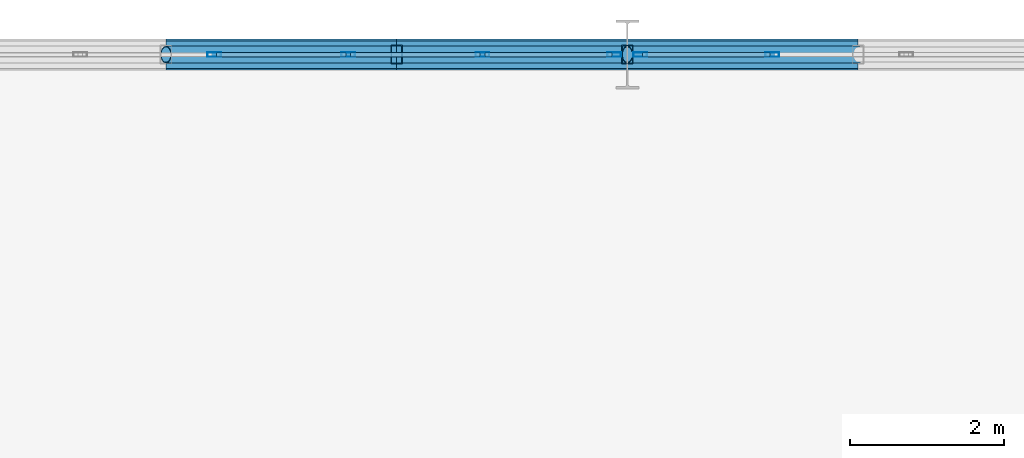
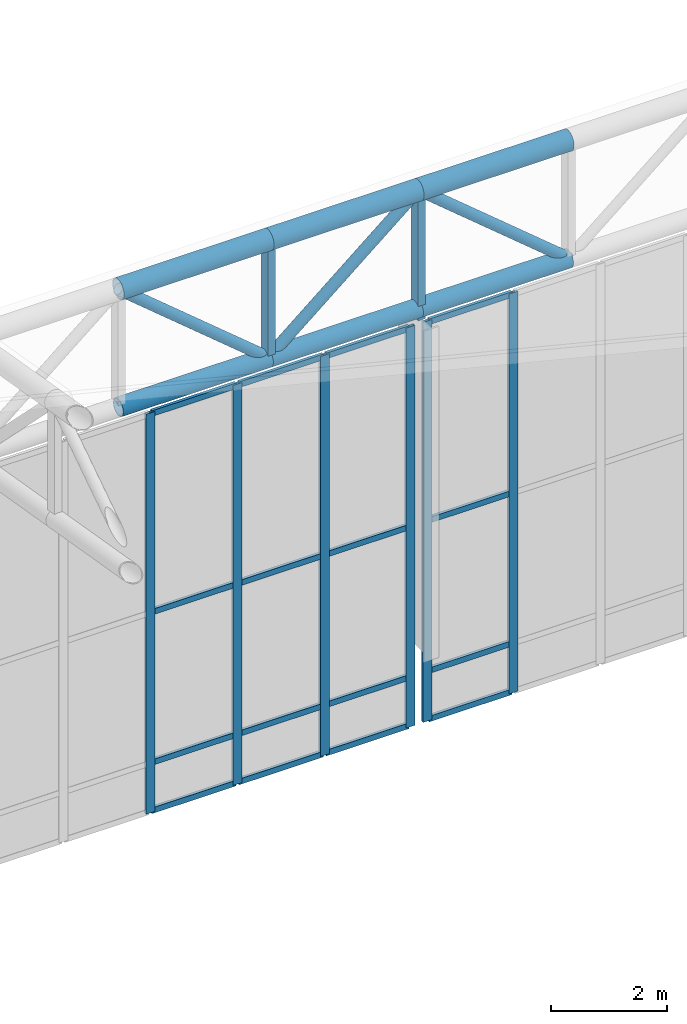
# One storey, part 136 of 239: 33 members, 2 elements without a shape of their own.
"""IFC4 building model written with IfcOpenShell, lengths in metres."""

from ifc_helpers import new_model, si_unit, direction, frame, origin, origin_2d, place, context, subcontext, project, spatial, hollow_rectangle, hollow_circle, extrude, material, material_profile, profile_set, type_object, element, aggregate, save


model = new_model("IFC4")

# Units and contexts
model_context = context("Model", 3, precision=1e-05, world=origin(), true_north=direction((0.0, 1.0)))
body_context = subcontext(model_context, "Body", "Model", "MODEL_VIEW")
ifc_project = project(units=[si_unit("LENGTHUNIT", "METRE"), si_unit("AREAUNIT", "SQUARE_METRE"), si_unit("VOLUMEUNIT", "CUBIC_METRE"), si_unit("PLANEANGLEUNIT", "RADIAN"), si_unit("MASSUNIT", "GRAM", prefix="KILO")], contexts=[model_context])

# Site, building, storey
site_placement = place(None, origin())
site = spatial("IfcSite", under=ifc_project, at=site_placement, CompositionType="ELEMENT")
building_placement = place(site_placement, origin())
building = spatial("IfcBuilding", under=site, at=building_placement, Name="Kaldris Quays Convention Centre", CompositionType="ELEMENT")
storey_placement = place(building_placement, frame((0.0, 0.0, 11.39990234375)))
storey = spatial("IfcBuildingStorey", under=building, at=storey_placement, Name="L02", CompositionType="ELEMENT", Elevation=11.39990234375)

# Curtain wall, members
ifc_material_1 = material(Name="Anodized aluminium AW-6060 and triple glazing", Category="aluminium")
curtain_wall_type = type_object("IfcCurtainWallType", Name="UNITISED CURTAIN WALL CW03", PredefinedType="NOTDEFINED", material=ifc_material_1)
curtain_wall_1_placement = place(storey_placement, origin())
curtain_wall_1 = element("IfcCurtainWall", 1, at=curtain_wall_1_placement, inside=storey, type_object=curtain_wall_type, Name="L02 Unitised Curtain Wall CW03 252", PredefinedType="NOTDEFINED")
ifc_material_2 = material(Name="Anodized aluminium AW-6060", Category="aluminium")
ifc_material_profile_1 = material_profile(ifc_material_2, hollow_rectangle(XDim=0.06005859375, YDim=0.179931640625, WallThickness=0.0048828125, at=origin_2d()), Name="RHS 180x60x5")
ifc_profile_set_1 = profile_set([ifc_material_profile_1], Name="Anodized aluminium AW-6060")
member_type_1 = type_object("IfcMemberType", Name="CURTAIN MULLION CWM2", PredefinedType="MULLION", material=ifc_profile_set_1)
member_1_placement = place(storey_placement, frame((131.6279296875, 140.0, -1.60498046875), z_axis=(0.0, 0.0, 1.0), x_axis=(0.0, 1.0, 0.0)))
member_1 = element("IfcMember", 2, at=member_1_placement, type_object=member_type_1, Name="CW03 mullion 3", PredefinedType="MULLION", context=body_context, shape_type="SweptSolid", body=[
    extrude(hollow_rectangle(XDim=0.06005859375, YDim=0.179931640625, WallThickness=0.0048828125, at=origin_2d()), origin(), (0.0, 0.0, 1.0), 8.455078125),
])
member_2_placement = place(storey_placement, frame((133.3720703125, 140.0, -1.60498046875), z_axis=(0.0, 0.0, 1.0), x_axis=(0.0, 1.0, 0.0)))
member_2 = element("IfcMember", 3, at=member_2_placement, type_object=member_type_1, Name="CW03 mullion 4", PredefinedType="MULLION", context=body_context, shape_type="SweptSolid", body=[
    extrude(hollow_rectangle(XDim=0.06005859375, YDim=0.179931640625, WallThickness=0.0048828125, at=origin_2d()), origin(), (0.0, 0.0, 1.0), 8.455078125),
])
member_3_placement = place(storey_placement, frame((135.115966796875, 140.0, -1.60498046875), z_axis=(0.0, 0.0, 1.0), x_axis=(0.0, 1.0, 0.0)))
member_3 = element("IfcMember", 4, at=member_3_placement, type_object=member_type_1, Name="CW03 mullion 5", PredefinedType="MULLION", context=body_context, shape_type="SweptSolid", body=[
    extrude(hollow_rectangle(XDim=0.06005859375, YDim=0.179931640625, WallThickness=0.0048828125, at=origin_2d()), origin(), (0.0, 0.0, 1.0), 8.455078125),
])
member_4_placement = place(storey_placement, frame((136.830078125, 140.0, -1.60498046875), z_axis=(0.0, 0.0, 1.0), x_axis=(0.0, 1.0, 0.0)))
member_4 = element("IfcMember", 5, at=member_4_placement, type_object=member_type_1, Name="CW03 mullion 6", PredefinedType="MULLION", context=body_context, shape_type="SweptSolid", body=[
    extrude(hollow_rectangle(XDim=0.06005859375, YDim=0.179931640625, WallThickness=0.0048828125, at=origin_2d()), origin(), (0.0, 0.0, 1.0), 8.455078125),
])

curtain_wall_2_placement = place(storey_placement, origin())
curtain_wall_2 = element("IfcCurtainWall", 6, at=curtain_wall_2_placement, inside=storey, type_object=curtain_wall_type, Name="L02 Unitised Curtain Wall CW03 254", PredefinedType="NOTDEFINED")
member_5_placement = place(storey_placement, frame((137.169921875, 140.0, -1.60498046875), z_axis=(0.0, 0.0, 1.0), x_axis=(0.0, 1.0, 0.0)))
member_5 = element("IfcMember", 7, at=member_5_placement, type_object=member_type_1, Name="CW03 mullion 1", PredefinedType="MULLION", context=body_context, shape_type="SweptSolid", body=[
    extrude(hollow_rectangle(XDim=0.06005859375, YDim=0.179931640625, WallThickness=0.0048828125, at=origin_2d()), origin(), (0.0, 0.0, 1.0), 8.455078125),
])
member_6_placement = place(storey_placement, frame((138.884033203125, 140.0, -1.60498046875), z_axis=(0.0, 0.0, 1.0), x_axis=(0.0, 1.0, 0.0)))
member_6 = element("IfcMember", 8, at=member_6_placement, type_object=member_type_1, Name="CW03 mullion 2", PredefinedType="MULLION", context=body_context, shape_type="SweptSolid", body=[
    extrude(hollow_rectangle(XDim=0.06005859375, YDim=0.179931640625, WallThickness=0.0048828125, at=origin_2d()), origin(), (0.0, 0.0, 1.0), 8.455078125),
])

# Member
ifc_material_profile_2 = material_profile(ifc_material_2, hollow_rectangle(XDim=0.06005859375, YDim=0.1201171875, WallThickness=0.00390625, at=origin_2d()), Name="RHS 120x60x4")
ifc_profile_set_2 = profile_set([ifc_material_profile_2], Name="Anodized aluminium AW-6060")
member_type_2 = type_object("IfcMemberType", Name="CURTAIN TRANSOM CWT1", PredefinedType="USERDEFINED", material=ifc_profile_set_2)
member_7_placement = place(storey_placement, frame((131.657958984375, 140.0, -1.574951171875), z_axis=(1.0, 0.0, 0.0), x_axis=(0.0, 1.0, 0.0)))
member_7 = element("IfcMember", 9, at=member_7_placement, type_object=member_type_2, Name="CW03 transom 3.1", ObjectType="TRANSOM", PredefinedType="USERDEFINED", context=body_context, shape_type="SweptSolid", body=[
    extrude(hollow_rectangle(XDim=0.06005859375, YDim=0.1201171875, WallThickness=0.00390625, at=origin_2d()), origin(), (0.0, 0.0, 1.0), 1.68408203125),
])

member_8_placement = place(storey_placement, frame((131.657958984375, 140.0, -0.554931640625), z_axis=(1.0, 0.0, 0.0), x_axis=(0.0, 1.0, 0.0)))
member_8 = element("IfcMember", 10, at=member_8_placement, type_object=member_type_2, Name="CW03 transom 3.2", ObjectType="TRANSOM", PredefinedType="USERDEFINED", context=body_context, shape_type="SweptSolid", body=[
    extrude(hollow_rectangle(XDim=0.06005859375, YDim=0.1201171875, WallThickness=0.00390625, at=origin_2d()), origin(), (0.0, 0.0, 1.0), 1.68408203125),
])

member_9_placement = place(storey_placement, frame((131.657958984375, 140.0, 2.623046875), z_axis=(1.0, 0.0, 0.0), x_axis=(0.0, 1.0, 0.0)))
member_9 = element("IfcMember", 11, at=member_9_placement, type_object=member_type_2, Name="CW03 transom 3.3", ObjectType="TRANSOM", PredefinedType="USERDEFINED", context=body_context, shape_type="SweptSolid", body=[
    extrude(hollow_rectangle(XDim=0.06005859375, YDim=0.1201171875, WallThickness=0.00390625, at=origin_2d()), origin(), (0.0, 0.0, 1.0), 1.68408203125),
])

member_10_placement = place(storey_placement, frame((131.657958984375, 140.0, 6.820068359375), z_axis=(1.0, 0.0, 0.0), x_axis=(0.0, 1.0, 0.0)))
member_10 = element("IfcMember", 12, at=member_10_placement, type_object=member_type_2, Name="CW03 transom 3.4", ObjectType="TRANSOM", PredefinedType="USERDEFINED", context=body_context, shape_type="SweptSolid", body=[
    extrude(hollow_rectangle(XDim=0.06005859375, YDim=0.1201171875, WallThickness=0.00390625, at=origin_2d()), origin(), (0.0, 0.0, 1.0), 1.68408203125),
])

member_11_placement = place(storey_placement, frame((133.402099609375, 140.0, -1.574951171875), z_axis=(1.0, 0.0, 0.0), x_axis=(0.0, 1.0, 0.0)))
member_11 = element("IfcMember", 13, at=member_11_placement, type_object=member_type_2, Name="CW03 transom 4.1", ObjectType="TRANSOM", PredefinedType="USERDEFINED", context=body_context, shape_type="SweptSolid", body=[
    extrude(hollow_rectangle(XDim=0.06005859375, YDim=0.1201171875, WallThickness=0.00390625, at=origin_2d()), origin(), (0.0, 0.0, 1.0), 1.683837890625),
])

member_12_placement = place(storey_placement, frame((133.402099609375, 140.0, -0.554931640625), z_axis=(1.0, 0.0, 0.0), x_axis=(0.0, 1.0, 0.0)))
member_12 = element("IfcMember", 14, at=member_12_placement, type_object=member_type_2, Name="CW03 transom 4.2", ObjectType="TRANSOM", PredefinedType="USERDEFINED", context=body_context, shape_type="SweptSolid", body=[
    extrude(hollow_rectangle(XDim=0.06005859375, YDim=0.1201171875, WallThickness=0.00390625, at=origin_2d()), origin(), (0.0, 0.0, 1.0), 1.683837890625),
])

member_13_placement = place(storey_placement, frame((133.402099609375, 140.0, 2.623046875), z_axis=(1.0, 0.0, 0.0), x_axis=(0.0, 1.0, 0.0)))
member_13 = element("IfcMember", 15, at=member_13_placement, type_object=member_type_2, Name="CW03 transom 4.3", ObjectType="TRANSOM", PredefinedType="USERDEFINED", context=body_context, shape_type="SweptSolid", body=[
    extrude(hollow_rectangle(XDim=0.06005859375, YDim=0.1201171875, WallThickness=0.00390625, at=origin_2d()), origin(), (0.0, 0.0, 1.0), 1.683837890625),
])

member_14_placement = place(storey_placement, frame((133.402099609375, 140.0, 6.820068359375), z_axis=(1.0, 0.0, 0.0), x_axis=(0.0, 1.0, 0.0)))
member_14 = element("IfcMember", 16, at=member_14_placement, type_object=member_type_2, Name="CW03 transom 4.4", ObjectType="TRANSOM", PredefinedType="USERDEFINED", context=body_context, shape_type="SweptSolid", body=[
    extrude(hollow_rectangle(XDim=0.06005859375, YDim=0.1201171875, WallThickness=0.00390625, at=origin_2d()), origin(), (0.0, 0.0, 1.0), 1.683837890625),
])

member_15_placement = place(storey_placement, frame((135.14599609375, 140.0, -1.574951171875), z_axis=(1.0, 0.0, 0.0), x_axis=(0.0, 1.0, 0.0)))
member_15 = element("IfcMember", 17, at=member_15_placement, type_object=member_type_2, Name="CW03 transom 5.1", ObjectType="TRANSOM", PredefinedType="USERDEFINED", context=body_context, shape_type="SweptSolid", body=[
    extrude(hollow_rectangle(XDim=0.06005859375, YDim=0.1201171875, WallThickness=0.00390625, at=origin_2d()), origin(), (0.0, 0.0, 1.0), 1.654052734375),
])

member_16_placement = place(storey_placement, frame((135.14599609375, 140.0, -0.554931640625), z_axis=(1.0, 0.0, 0.0), x_axis=(0.0, 1.0, 0.0)))
member_16 = element("IfcMember", 18, at=member_16_placement, type_object=member_type_2, Name="CW03 transom 5.2", ObjectType="TRANSOM", PredefinedType="USERDEFINED", context=body_context, shape_type="SweptSolid", body=[
    extrude(hollow_rectangle(XDim=0.06005859375, YDim=0.1201171875, WallThickness=0.00390625, at=origin_2d()), origin(), (0.0, 0.0, 1.0), 1.654052734375),
])

member_17_placement = place(storey_placement, frame((135.14599609375, 140.0, 2.623046875), z_axis=(1.0, 0.0, 0.0), x_axis=(0.0, 1.0, 0.0)))
member_17 = element("IfcMember", 19, at=member_17_placement, type_object=member_type_2, Name="CW03 transom 5.3", ObjectType="TRANSOM", PredefinedType="USERDEFINED", context=body_context, shape_type="SweptSolid", body=[
    extrude(hollow_rectangle(XDim=0.06005859375, YDim=0.1201171875, WallThickness=0.00390625, at=origin_2d()), origin(), (0.0, 0.0, 1.0), 1.654052734375),
])

member_18_placement = place(storey_placement, frame((135.14599609375, 140.0, 6.820068359375), z_axis=(1.0, 0.0, 0.0), x_axis=(0.0, 1.0, 0.0)))
member_18 = element("IfcMember", 20, at=member_18_placement, type_object=member_type_2, Name="CW03 transom 5.4", ObjectType="TRANSOM", PredefinedType="USERDEFINED", context=body_context, shape_type="SweptSolid", body=[
    extrude(hollow_rectangle(XDim=0.06005859375, YDim=0.1201171875, WallThickness=0.00390625, at=origin_2d()), origin(), (0.0, 0.0, 1.0), 1.654052734375),
])

aggregate(curtain_wall_1, [member_1, member_2, member_3, member_4, member_7, member_8, member_9, member_10, member_11, member_12, member_13, member_14, member_15, member_16, member_17, member_18])

member_19_placement = place(storey_placement, frame((137.199951171875, 140.0, -1.574951171875), z_axis=(1.0, 0.0, 0.0), x_axis=(0.0, 1.0, 0.0)))
member_19 = element("IfcMember", 21, at=member_19_placement, type_object=member_type_2, Name="CW03 transom 1.1", ObjectType="TRANSOM", PredefinedType="USERDEFINED", context=body_context, shape_type="SweptSolid", body=[
    extrude(hollow_rectangle(XDim=0.06005859375, YDim=0.1201171875, WallThickness=0.00390625, at=origin_2d()), origin(), (0.0, 0.0, 1.0), 1.654052734375),
])

member_20_placement = place(storey_placement, frame((137.199951171875, 140.0, -0.554931640625), z_axis=(1.0, 0.0, 0.0), x_axis=(0.0, 1.0, 0.0)))
member_20 = element("IfcMember", 22, at=member_20_placement, type_object=member_type_2, Name="CW03 transom 1.2", ObjectType="TRANSOM", PredefinedType="USERDEFINED", context=body_context, shape_type="SweptSolid", body=[
    extrude(hollow_rectangle(XDim=0.06005859375, YDim=0.1201171875, WallThickness=0.00390625, at=origin_2d()), origin(), (0.0, 0.0, 1.0), 1.654052734375),
])

member_21_placement = place(storey_placement, frame((137.199951171875, 140.0, 2.623046875), z_axis=(1.0, 0.0, 0.0), x_axis=(0.0, 1.0, 0.0)))
member_21 = element("IfcMember", 23, at=member_21_placement, type_object=member_type_2, Name="CW03 transom 1.3", ObjectType="TRANSOM", PredefinedType="USERDEFINED", context=body_context, shape_type="SweptSolid", body=[
    extrude(hollow_rectangle(XDim=0.06005859375, YDim=0.1201171875, WallThickness=0.00390625, at=origin_2d()), origin(), (0.0, 0.0, 1.0), 1.654052734375),
])

member_22_placement = place(storey_placement, frame((137.199951171875, 140.0, 6.820068359375), z_axis=(1.0, 0.0, 0.0), x_axis=(0.0, 1.0, 0.0)))
member_22 = element("IfcMember", 24, at=member_22_placement, type_object=member_type_2, Name="CW03 transom 1.4", ObjectType="TRANSOM", PredefinedType="USERDEFINED", context=body_context, shape_type="SweptSolid", body=[
    extrude(hollow_rectangle(XDim=0.06005859375, YDim=0.1201171875, WallThickness=0.00390625, at=origin_2d()), origin(), (0.0, 0.0, 1.0), 1.654052734375),
])

aggregate(curtain_wall_2, [member_5, member_6, member_19, member_20, member_21, member_22])

# Members
ifc_material_3 = material(Name="Steel S355J2H", Category="steel")
ifc_material_profile_3 = material_profile(ifc_material_3, hollow_circle(Radius=0.203125, WallThickness=0.01611328125, at=origin_2d()), Name="CHS 406.4x16")
ifc_profile_set_3 = profile_set([ifc_material_profile_3], Name="Steel S355J2H")
member_type_3 = type_object("IfcMemberType", Name="STRUCTURAL MEMBER SC01", PredefinedType="CHORD", material=ifc_profile_set_3)
for number, where, z_axis, x_axis, name in (
    (25, (131.0, 140.0, 9.671875), (1.0, 0.0, 0.0), (0.0, 1.0, 0.0), "SF-V1 Top Chord X 332"),
    (26, (134.0, 140.0, 9.671875), (1.0, 0.0, 0.0), (0.0, 1.0, 0.0), "SF-V1 Top Chord X 333"),
    (27, (137.0, 140.0, 9.671875), (1.0, 0.0, 0.0), (0.0, 1.0, 0.0), "SF-V1 Top Chord X 334"),
):
    element("IfcMember", number, at=place(storey_placement, frame(where, z_axis=z_axis, x_axis=x_axis)), inside=storey, type_object=member_type_3, Name=name, PredefinedType="CHORD", context=body_context, shape_type="SweptSolid", body=[
        extrude(hollow_circle(Radius=0.203125, WallThickness=0.01611328125, at=origin_2d()), origin(), (0.0, 0.0, 1.0), 3.0),
    ])
ifc_material_profile_4 = material_profile(ifc_material_3, hollow_circle(Radius=0.177734375, WallThickness=0.01611328125, at=origin_2d()), Name="CHS 355.6x16")
ifc_profile_set_4 = profile_set([ifc_material_profile_4], Name="Steel S355J2H")
member_type_4 = type_object("IfcMemberType", Name="STRUCTURAL MEMBER SC02", PredefinedType="CHORD", material=ifc_profile_set_4)
for number, where, z_axis, x_axis, name in (
    (28, (131.0, 140.0, 7.171875), (1.0, 0.0, 0.0), (0.0, 1.0, 0.0), "SF-V1 Bottom Chord X 332"),
    (29, (134.0, 140.0, 7.171875), (1.0, 0.0, 0.0), (0.0, 1.0, 0.0), "SF-V1 Bottom Chord X 333"),
    (30, (137.0, 140.0, 7.171875), (1.0, 0.0, 0.0), (0.0, 1.0, 0.0), "SF-V1 Bottom Chord X 334"),
):
    element("IfcMember", number, at=place(storey_placement, frame(where, z_axis=z_axis, x_axis=x_axis)), inside=storey, type_object=member_type_4, Name=name, PredefinedType="CHORD", context=body_context, shape_type="SweptSolid", body=[
        extrude(hollow_circle(Radius=0.177734375, WallThickness=0.01611328125, at=origin_2d()), origin(), (0.0, 0.0, 1.0), 3.0),
    ])
ifc_material_profile_5 = material_profile(ifc_material_3, hollow_circle(Radius=0.109619140625, WallThickness=0.010009765625, at=origin_2d()), Name="CHS 219.1x10")
ifc_profile_set_5 = profile_set([ifc_material_profile_5], Name="Steel S355J2H")
member_type_5 = type_object("IfcMemberType", Name="STRUCTURAL MEMBER SWB1", PredefinedType="BRACE", material=ifc_profile_set_5)
for number, where, z_axis, x_axis, name in (
    (31, (134.0, 140.0, 7.171875), (-0.768221279597, 0.0, 0.640184399664), (0.0, -1.0, 0.0), "SF-V1 Web Diagonal X 332"),
    (32, (134.0, 140.0, 7.171875), (0.768221279597, 0.0, 0.640184399664), (0.0, 1.0, 0.0), "SF-V1 Web Diagonal X 333"),
    (33, (140.0, 140.0, 7.171875), (-0.768221279597, 0.0, 0.640184399664), (0.0, -1.0, 0.0), "SF-V1 Web Diagonal X 334"),
):
    element("IfcMember", number, at=place(storey_placement, frame(where, z_axis=z_axis, x_axis=x_axis)), inside=storey, type_object=member_type_5, Name=name, PredefinedType="BRACE", context=body_context, shape_type="SweptSolid", body=[
        extrude(hollow_circle(Radius=0.109619140625, WallThickness=0.010009765625, at=origin_2d()), origin(), (0.0, 0.0, 1.0), 3.905029296875),
    ])
ifc_material_profile_6 = material_profile(ifc_material_3, hollow_rectangle(XDim=0.14990234375, YDim=0.25, WallThickness=0.010009765625, at=origin_2d()), Name="RHS 250x150x10")
ifc_profile_set_6 = profile_set([ifc_material_profile_6], Name="Steel S355J2H")
member_type_6 = type_object("IfcMemberType", Name="STRUCTURAL MEMBER TTV1", PredefinedType="POST", material=ifc_profile_set_6)
member_23_placement = place(storey_placement, frame((134.0, 140.0, 7.171875), z_axis=(0.0, 0.0, 1.0), x_axis=(1.0, 0.0, 0.0)))
element("IfcMember", 34, at=member_23_placement, inside=storey, type_object=member_type_6, Name="SF-V1 Space-Frame Post 459", PredefinedType="POST", context=body_context, shape_type="SweptSolid", body=[
    extrude(hollow_rectangle(XDim=0.14990234375, YDim=0.25, WallThickness=0.010009765625, at=origin_2d()), origin(), (0.0, 0.0, 1.0), 2.5),
])
member_24_placement = place(storey_placement, frame((137.0, 140.0, 6.994140625), z_axis=(0.0, 0.0, 1.0), x_axis=(1.0, 0.0, 0.0)))
element("IfcMember", 35, at=member_24_placement, inside=storey, type_object=member_type_6, Name="SF-V1 Space-Frame Post 467", PredefinedType="POST", context=body_context, shape_type="SweptSolid", body=[
    extrude(hollow_rectangle(XDim=0.14990234375, YDim=0.25, WallThickness=0.010009765625, at=origin_2d()), origin(), (0.0, 0.0, 1.0), 2.677734375),
])

save(model, "model.ifc")
